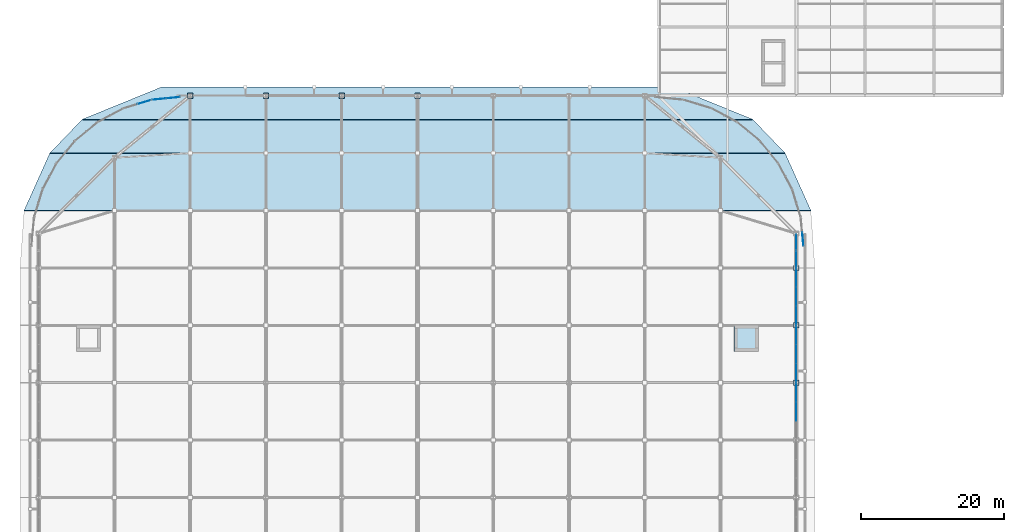
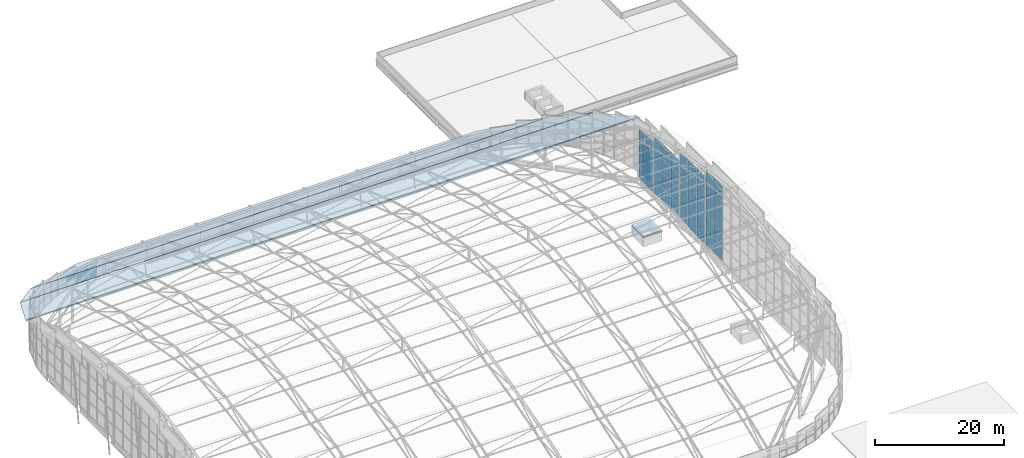
# One storey, part 37 of 42: 59 plates, 4 slabs, 8 elements without a shape of their own.
"""IFC4 building model written with IfcOpenShell, lengths in metres."""

import ifcopenshell
import ifcopenshell.guid

model = None  # the IFC model being written
_history = None  # IfcOwnerHistory: only IFC2X3 demands one
_inside = {}  # id of a spatial element -> (the spatial element, [elements in it])
_under = {}  # id of a project, library or spatial element -> (it, [spatial elements below it])
_declared = {}  # id of a project -> (the project, [libraries it declares])
_typed = {}  # id of a type object -> (the type object, [elements of that type])
_made_of = {}  # id of a material, layer set ... -> (it, [elements and type objects made of it])


def new_model(schema):
    """Start an empty IFC model of exactly this schema.

    Asked for "IFC4X3", IfcOpenShell would pick the latest addendum, in which some entities
    have other attributes; the version numbers below select the first issue.
    IFC2X3 requires an IfcOwnerHistory on every rooted entity: one is made here for all.
    """
    global model, _history
    if schema == "IFC4X3":
        model = ifcopenshell.file(schema_version=(4, 3, 0, 0))
    else:
        model = ifcopenshell.file(schema=schema)
    _inside.clear()
    _under.clear()
    _declared.clear()
    _typed.clear()
    _made_of.clear()
    _history = None
    if model.schema == "IFC2X3":
        org = make("IfcOrganization", Name="unknown")
        user = make(
            "IfcPersonAndOrganization",
            ThePerson=make("IfcPerson", FamilyName="unknown"),
            TheOrganization=org,
        )
        app = make(
            "IfcApplication",
            ApplicationDeveloper=org,
            Version="unknown",
            ApplicationFullName="unknown",
            ApplicationIdentifier="unknown",
        )
        _history = make(
            "IfcOwnerHistory",
            OwningUser=user,
            OwningApplication=app,
            ChangeAction="ADDED",
            CreationDate=0,
        )
    return model


def make(cls, **values):
    """One entity of the class cls with the attributes given. An attribute that is None is left unset."""
    return model.create_entity(
        cls, **{name: value for name, value in values.items() if value is not None}
    )


def rooted(cls, **values):
    """An entity with a GlobalId (a new one), such as an element, a storey or a relation."""
    return make(cls, GlobalId=ifcopenshell.guid.new(), OwnerHistory=_history, **values)


def si_unit(unit_type, name, prefix=None):
    """IfcSIUnit, for example si_unit("LENGTHUNIT", "METRE", prefix="MILLI")."""
    return make("IfcSIUnit", UnitType=unit_type, Prefix=prefix, Name=name)


def assignment(units):
    """IfcUnitAssignment: the units of a project."""
    return None if units is None else make("IfcUnitAssignment", Units=units)


def point(xyz):
    """IfcCartesianPoint."""
    return None if xyz is None else make("IfcCartesianPoint", Coordinates=xyz)


def direction(xyz):
    """IfcDirection."""
    return None if xyz is None else make("IfcDirection", DirectionRatios=xyz)


def frame(location, z_axis=None, x_axis=None):
    """IfcAxis2Placement3D, a coordinate frame: its origin and axes. An axis left out is left unset."""
    return make(
        "IfcAxis2Placement3D",
        Location=point(location),
        Axis=direction(z_axis),
        RefDirection=direction(x_axis),
    )


def frame_2d(location, x_axis=None):
    """IfcAxis2Placement2D, a coordinate frame in the plane: its origin and x axis."""
    return make(
        "IfcAxis2Placement2D", Location=point(location), RefDirection=direction(x_axis)
    )


def origin():
    """The frame at (0, 0, 0) with its axes left unset."""
    return frame((0.0, 0.0, 0.0))


def origin_2d():
    """The frame at (0, 0) in the plane with its x axis left unset."""
    return frame_2d((0.0, 0.0))


def place(relative_to, where):
    """IfcLocalPlacement: puts the frame where relative to a parent placement (None: the world)."""
    return make(
        "IfcLocalPlacement", PlacementRelTo=relative_to, RelativePlacement=where
    )


def context(
    kind, dimensions, precision=None, world=None, true_north=None, identifier=None
):
    """IfcGeometricRepresentationContext, for example the 3D "Model" context."""
    return make(
        "IfcGeometricRepresentationContext",
        ContextIdentifier=identifier,
        ContextType=kind,
        CoordinateSpaceDimension=dimensions,
        Precision=precision,
        WorldCoordinateSystem=world,
        TrueNorth=true_north,
    )


def subcontext(parent, identifier, kind, view, scale=None):
    """IfcGeometricRepresentationSubContext, for example "Body" below "Model"."""
    return make(
        "IfcGeometricRepresentationSubContext",
        ContextIdentifier=identifier,
        ContextType=kind,
        ParentContext=parent,
        TargetScale=scale,
        TargetView=view,
    )


def project(units=None, contexts=None):
    """IfcProject with its units and contexts."""
    return rooted(
        "IfcProject",
        Name="project",
        RepresentationContexts=contexts,
        UnitsInContext=assignment(units),
    )


def spatial(cls, under=None, at=None, **own):
    """A site, building, storey or space (cls), placed at a placement, below another one or the project."""
    s = rooted(cls, ObjectPlacement=at, **own)
    if under is not None:
        _under.setdefault(under.id(), (under, []))[1].append(s)
    return s


def polyline(points):
    """IfcPolyline through the points."""
    return make("IfcPolyline", Points=[point(p) for p in points])


def profile(cls, at=None, kind="AREA", **sizes):
    """A parametric profile (cls). Its sizes go by their IFC names, for example OverallWidth=200.0."""
    return make(cls, ProfileType=kind, Position=at, **sizes)


def rectangle(**sizes):
    """IfcRectangleProfileDef."""
    return profile("IfcRectangleProfileDef", **sizes)


def outline(outer, holes=None, kind="AREA"):
    """IfcArbitraryClosedProfileDef: a profile drawn as a closed curve; with holes, ...WithVoids."""
    if holes is None:
        return make("IfcArbitraryClosedProfileDef", ProfileType=kind, OuterCurve=outer)
    return make(
        "IfcArbitraryProfileDefWithVoids",
        ProfileType=kind,
        OuterCurve=outer,
        InnerCurves=holes,
    )


def extrude(swept, where, along, depth):
    """IfcExtrudedAreaSolid: the profile swept, set in the frame where, extruded along a direction by depth."""
    return make(
        "IfcExtrudedAreaSolid",
        SweptArea=swept,
        Position=where,
        ExtrudedDirection=direction(along),
        Depth=depth,
    )


def shape(context_of_items, identifier, shape_type, items):
    """IfcShapeRepresentation: the items that make up one representation, for example the "Body"."""
    return make(
        "IfcShapeRepresentation",
        ContextOfItems=context_of_items,
        RepresentationIdentifier=identifier,
        RepresentationType=shape_type,
        Items=items,
    )


def material(Name=None, Category=None):
    """IfcMaterial."""
    return make("IfcMaterial", Name=Name, Category=Category)


def layer(
    of_material, thickness, ventilated=None, Name=None, Category=None, Priority=None
):
    """IfcMaterialLayer: one layer of a wall or slab, of a material (None: an air gap)."""
    return make(
        "IfcMaterialLayer",
        Material=of_material,
        LayerThickness=thickness,
        IsVentilated=ventilated,
        Name=Name,
        Category=Category,
        Priority=Priority,
    )


def layer_set(layers, Name=None):
    """IfcMaterialLayerSet."""
    return make("IfcMaterialLayerSet", MaterialLayers=layers, LayerSetName=Name)


def made_of(thing, what):
    """Note that an element or type object is made of a material, layer set ...; save() writes the relation."""
    if what is not None:
        _made_of.setdefault(what.id(), (what, []))[1].append(thing)
    return thing


def type_object(cls, material=None, **own):
    """A type object (cls), such as IfcWallType, which elements share."""
    return made_of(rooted(cls, **own), material)


def element(
    cls,
    number,
    at=None,
    inside=None,
    cuts=None,
    type_object=None,
    material=None,
    context=None,
    identifier="Body",
    shape_type=None,
    held_by="IfcProductDefinitionShape",
    body=None,
    shapes=None,
    **own,
):
    """One element of the class cls, such as IfcWall. Its Tag is "e" and its number.

    at: its placement. inside: the storey or other place that contains it. cuts: it is an
    opening in that element (IfcRelVoidsElement). A single representation is given by context,
    identifier, shape_type and body (its items); several are given by shapes. held_by: the class
    of the entity that holds the representations. save() writes the other relations.
    """
    e = rooted(cls, Tag="e%d" % number, ObjectPlacement=at, **own)
    if body is not None:
        shapes = [shape(context, identifier, shape_type, body)]
    if shapes is not None:
        e.Representation = make(held_by, Representations=shapes)
    if inside is not None:
        _inside.setdefault(inside.id(), (inside, []))[1].append(e)
    if cuts is not None:
        rooted(
            "IfcRelVoidsElement", RelatingBuildingElement=cuts, RelatedOpeningElement=e
        )
    if type_object is not None:
        _typed.setdefault(type_object.id(), (type_object, []))[1].append(e)
    return made_of(e, material)


def aggregate(whole, parts):
    """IfcRelAggregates: a whole, such as a stair, and the parts it consists of."""
    return rooted("IfcRelAggregates", RelatingObject=whole, RelatedObjects=parts)


def save(model, path):
    """Write the relations noted so far, then the file.

    IfcRelAggregates (storeys below a building ...), IfcRelContainedInSpatialStructure (elements
    in a storey), IfcRelDefinesByType, IfcRelAssociatesMaterial and IfcRelDeclares: one each for
    every whole, place, type object, material and project.
    """
    for whole, parts in _under.values():
        aggregate(whole, parts)
    for where, things in _inside.values():
        rooted(
            "IfcRelContainedInSpatialStructure",
            RelatedElements=things,
            RelatingStructure=where,
        )
    for kind, things in _typed.values():
        rooted("IfcRelDefinesByType", RelatedObjects=things, RelatingType=kind)
    for what, things in _made_of.values():
        rooted("IfcRelAssociatesMaterial", RelatedObjects=things, RelatingMaterial=what)
    for by, libraries in _declared.values():
        rooted("IfcRelDeclares", RelatingContext=by, RelatedDefinitions=libraries)
    model.write(path)


model = new_model("IFC4")

# Units and contexts
model_context = context("Model", 3, precision=1e-05, world=origin(), true_north=direction((0.0, 1.0)))
body_context = subcontext(model_context, "Body", "Model", "MODEL_VIEW")
ifc_project = project(units=[si_unit("LENGTHUNIT", "METRE"), si_unit("AREAUNIT", "SQUARE_METRE"), si_unit("VOLUMEUNIT", "CUBIC_METRE"), si_unit("PLANEANGLEUNIT", "RADIAN"), si_unit("MASSUNIT", "GRAM", prefix="KILO")], contexts=[model_context])

# Site, building, storey
site_placement = place(None, origin())
site = spatial("IfcSite", under=ifc_project, at=site_placement, CompositionType="ELEMENT")
building_placement = place(site_placement, origin())
building = spatial("IfcBuilding", under=site, at=building_placement, Name="Caelomonte Colonnade Arena", CompositionType="ELEMENT")
storey_placement = place(building_placement, frame((0.0, 0.0, 28.199951171875)))
storey = spatial("IfcBuildingStorey", under=building, at=storey_placement, Name="RF", CompositionType="ELEMENT", Elevation=28.199951171875)

# Curtain wall, plates
ifc_material_1 = material(Name="Bronze anodised aluminium and low-E glazing", Category="aluminium")
ifc_layer_1 = layer(ifc_material_1, 0.179931640625)
ifc_layer_set_1 = layer_set([ifc_layer_1], Name="Bronze anodised aluminium and low-E glazing")
curtain_wall_type_1 = type_object("IfcCurtainWallType", Name="ENV-CW-CW-TYMP-05", PredefinedType="USERDEFINED", material=ifc_layer_set_1)
curtain_wall_1_placement = place(storey_placement, origin())
curtain_wall_1 = element("IfcCurtainWall", 1, at=curtain_wall_1_placement, inside=storey, type_object=curtain_wall_type_1, Name="Barrel arch E clerestory tympanum curtain wall 5", ObjectType="UNITIZED CURTAIN WALL", PredefinedType="USERDEFINED")
ifc_material_2 = material(Name="Solar-control bronze low-E double glazing", Category="glass")
ifc_layer_2 = layer(ifc_material_2, 0.035888671875)
ifc_layer_set_2 = layer_set([ifc_layer_2], Name="Solar-control bronze low-E double glazing")
plate_type_1 = type_object("IfcPlateType", Name="ENV-CW-PAN36", PredefinedType="CURTAIN_PANEL", material=ifc_layer_set_2)
plate_1_placement = place(storey_placement, frame((163.199951171875, 71.199951171875, -0.079833984375), z_axis=(0.0, 0.0, 1.0), x_axis=(0.0, 1.0, 0.0)))
plate_1 = element("IfcPlate", 2, at=plate_1_placement, type_object=plate_type_1, Name="CW-TYMP-05 panel 2.1", PredefinedType="CURTAIN_PANEL", context=body_context, shape_type="SweptSolid", body=[
    extrude(rectangle(XDim=2.543212890625, YDim=0.035888671875, at=origin_2d()), origin(), (0.0, 0.0, 1.0), 2.751953125),
])
plate_2_placement = place(storey_placement, frame((163.199951171875, 71.199951171875, 2.741943359375), z_axis=(0.0, 0.0, 1.0), x_axis=(0.0, 1.0, 0.0)))
plate_2 = element("IfcPlate", 3, at=plate_2_placement, type_object=plate_type_1, Name="CW-TYMP-05 panel 2.2", PredefinedType="CURTAIN_PANEL", context=body_context, shape_type="SweptSolid", body=[
    extrude(rectangle(XDim=2.543212890625, YDim=0.035888671875, at=origin_2d()), origin(), (0.0, 0.0, 1.0), 2.787109375),
])
plate_3_placement = place(storey_placement, frame((163.199951171875, 71.199951171875, 5.598876953125), z_axis=(0.0, 0.0, 1.0), x_axis=(0.0, 1.0, 0.0)))
plate_3 = element("IfcPlate", 4, at=plate_3_placement, type_object=plate_type_1, Name="CW-TYMP-05 panel 2.3", PredefinedType="CURTAIN_PANEL", context=body_context, shape_type="SweptSolid", body=[
    extrude(rectangle(XDim=2.543212890625, YDim=0.035888671875, at=origin_2d()), origin(), (0.0, 0.0, 1.0), 2.787109375),
])
plate_4_placement = place(storey_placement, frame((163.199951171875, 71.199951171875, 8.4560546875), z_axis=(0.0, 0.0, 1.0), x_axis=(0.0, 1.0, 0.0)))
plate_4 = element("IfcPlate", 5, at=plate_4_placement, type_object=plate_type_1, Name="CW-TYMP-05 panel 2.4", PredefinedType="CURTAIN_PANEL", context=body_context, shape_type="SweptSolid", body=[
    extrude(rectangle(XDim=2.543212890625, YDim=0.035888671875, at=origin_2d()), origin(), (0.0, 0.0, 1.0), 2.787109375),
])
plate_5_placement = place(storey_placement, frame((163.199951171875, 71.199951171875, 11.31298828125), z_axis=(0.0, 0.0, 1.0), x_axis=(0.0, 1.0, 0.0)))
plate_5 = element("IfcPlate", 6, at=plate_5_placement, type_object=plate_type_1, Name="CW-TYMP-05 panel 2.5", PredefinedType="CURTAIN_PANEL", context=body_context, shape_type="SweptSolid", body=[
    extrude(rectangle(XDim=2.543212890625, YDim=0.035888671875, at=origin_2d()), origin(), (0.0, 0.0, 1.0), 2.751953125),
])
plate_6_placement = place(storey_placement, frame((163.199951171875, 73.7958984375, -0.079833984375), z_axis=(0.0, 0.0, 1.0), x_axis=(0.0, 1.0, 0.0)))
plate_6 = element("IfcPlate", 7, at=plate_6_placement, type_object=plate_type_1, Name="CW-TYMP-05 panel 3.1", PredefinedType="CURTAIN_PANEL", context=body_context, shape_type="SweptSolid", body=[
    extrude(rectangle(XDim=2.50830078125, YDim=0.035888671875, at=origin_2d()), origin(), (0.0, 0.0, 1.0), 2.751953125),
])
plate_7_placement = place(storey_placement, frame((163.199951171875, 73.7958984375, 2.741943359375), z_axis=(0.0, 0.0, 1.0), x_axis=(0.0, 1.0, 0.0)))
plate_7 = element("IfcPlate", 8, at=plate_7_placement, type_object=plate_type_1, Name="CW-TYMP-05 panel 3.2", PredefinedType="CURTAIN_PANEL", context=body_context, shape_type="SweptSolid", body=[
    extrude(rectangle(XDim=2.50830078125, YDim=0.035888671875, at=origin_2d()), origin(), (0.0, 0.0, 1.0), 2.787109375),
])
plate_8_placement = place(storey_placement, frame((163.199951171875, 73.7958984375, 5.598876953125), z_axis=(0.0, 0.0, 1.0), x_axis=(0.0, 1.0, 0.0)))
plate_8 = element("IfcPlate", 9, at=plate_8_placement, type_object=plate_type_1, Name="CW-TYMP-05 panel 3.3", PredefinedType="CURTAIN_PANEL", context=body_context, shape_type="SweptSolid", body=[
    extrude(rectangle(XDim=2.50830078125, YDim=0.035888671875, at=origin_2d()), origin(), (0.0, 0.0, 1.0), 2.787109375),
])
plate_9_placement = place(storey_placement, frame((163.199951171875, 73.7958984375, 8.4560546875), z_axis=(0.0, 0.0, 1.0), x_axis=(0.0, 1.0, 0.0)))
plate_9 = element("IfcPlate", 10, at=plate_9_placement, type_object=plate_type_1, Name="CW-TYMP-05 panel 3.4", PredefinedType="CURTAIN_PANEL", context=body_context, shape_type="SweptSolid", body=[
    extrude(rectangle(XDim=2.50830078125, YDim=0.035888671875, at=origin_2d()), origin(), (0.0, 0.0, 1.0), 2.787109375),
])
plate_10_placement = place(storey_placement, frame((163.199951171875, 73.7958984375, 11.31298828125), z_axis=(0.0, 0.0, 1.0), x_axis=(0.0, 1.0, 0.0)))
plate_10 = element("IfcPlate", 11, at=plate_10_placement, type_object=plate_type_1, Name="CW-TYMP-05 panel 3.5", PredefinedType="CURTAIN_PANEL", context=body_context, shape_type="SweptSolid", body=[
    extrude(rectangle(XDim=2.50830078125, YDim=0.035888671875, at=origin_2d()), origin(), (0.0, 0.0, 1.0), 2.751953125),
])
aggregate(curtain_wall_1, [plate_1, plate_2, plate_3, plate_4, plate_5, plate_6, plate_7, plate_8, plate_9, plate_10])

ifc_layer_3 = layer(ifc_material_1, 0.179931640625)
ifc_layer_set_3 = layer_set([ifc_layer_3], Name="Bronze anodised aluminium and low-E glazing")
curtain_wall_type_2 = type_object("IfcCurtainWallType", Name="ENV-CW-CW-TYMP-06", PredefinedType="USERDEFINED", material=ifc_layer_set_3)
curtain_wall_2_placement = place(storey_placement, origin())
curtain_wall_2 = element("IfcCurtainWall", 12, at=curtain_wall_2_placement, inside=storey, type_object=curtain_wall_type_2, Name="Barrel arch E clerestory tympanum curtain wall 6", ObjectType="UNITIZED CURTAIN WALL", PredefinedType="USERDEFINED")
plate_11_placement = place(storey_placement, frame((163.199951171875, 76.604248046875, -0.080078125), z_axis=(0.0, 0.0, 1.0), x_axis=(0.0, 1.0, 0.0)))
plate_11 = element("IfcPlate", 13, at=plate_11_placement, type_object=plate_type_1, Name="CW-TYMP-06 panel 1.1", PredefinedType="CURTAIN_PANEL", context=body_context, shape_type="SweptSolid", body=[
    extrude(rectangle(XDim=2.50830078125, YDim=0.035888671875, at=origin_2d()), origin(), (0.0, 0.0, 1.0), 2.462158203125),
])
plate_12_placement = place(storey_placement, frame((163.199951171875, 76.604248046875, 2.4521484375), z_axis=(0.0, 0.0, 1.0), x_axis=(0.0, 1.0, 0.0)))
plate_12 = element("IfcPlate", 14, at=plate_12_placement, type_object=plate_type_1, Name="CW-TYMP-06 panel 1.2", PredefinedType="CURTAIN_PANEL", context=body_context, shape_type="SweptSolid", body=[
    extrude(rectangle(XDim=2.50830078125, YDim=0.035888671875, at=origin_2d()), origin(), (0.0, 0.0, 1.0), 2.497314453125),
])
plate_13_placement = place(storey_placement, frame((163.199951171875, 76.604248046875, 5.01953125), z_axis=(0.0, 0.0, 1.0), x_axis=(0.0, 1.0, 0.0)))
plate_13 = element("IfcPlate", 15, at=plate_13_placement, type_object=plate_type_1, Name="CW-TYMP-06 panel 1.3", PredefinedType="CURTAIN_PANEL", context=body_context, shape_type="SweptSolid", body=[
    extrude(rectangle(XDim=2.50830078125, YDim=0.035888671875, at=origin_2d()), origin(), (0.0, 0.0, 1.0), 2.497314453125),
])
plate_14_placement = place(storey_placement, frame((163.199951171875, 76.604248046875, 7.58642578125), z_axis=(0.0, 0.0, 1.0), x_axis=(0.0, 1.0, 0.0)))
plate_14 = element("IfcPlate", 16, at=plate_14_placement, type_object=plate_type_1, Name="CW-TYMP-06 panel 1.4", PredefinedType="CURTAIN_PANEL", context=body_context, shape_type="SweptSolid", body=[
    extrude(rectangle(XDim=2.50830078125, YDim=0.035888671875, at=origin_2d()), origin(), (0.0, 0.0, 1.0), 2.497314453125),
])
plate_15_placement = place(storey_placement, frame((163.199951171875, 76.604248046875, 10.15380859375), z_axis=(0.0, 0.0, 1.0), x_axis=(0.0, 1.0, 0.0)))
plate_15 = element("IfcPlate", 17, at=plate_15_placement, type_object=plate_type_1, Name="CW-TYMP-06 panel 1.5", PredefinedType="CURTAIN_PANEL", context=body_context, shape_type="SweptSolid", body=[
    extrude(rectangle(XDim=2.50830078125, YDim=0.035888671875, at=origin_2d()), origin(), (0.0, 0.0, 1.0), 2.462158203125),
])
plate_16_placement = place(storey_placement, frame((163.199951171875, 79.199951171875, -0.080078125), z_axis=(0.0, 0.0, 1.0), x_axis=(0.0, 1.0, 0.0)))
plate_16 = element("IfcPlate", 18, at=plate_16_placement, type_object=plate_type_1, Name="CW-TYMP-06 panel 2.1", PredefinedType="CURTAIN_PANEL", context=body_context, shape_type="SweptSolid", body=[
    extrude(rectangle(XDim=2.543212890625, YDim=0.035888671875, at=origin_2d()), origin(), (0.0, 0.0, 1.0), 2.462158203125),
])
plate_17_placement = place(storey_placement, frame((163.199951171875, 79.199951171875, 2.4521484375), z_axis=(0.0, 0.0, 1.0), x_axis=(0.0, 1.0, 0.0)))
plate_17 = element("IfcPlate", 19, at=plate_17_placement, type_object=plate_type_1, Name="CW-TYMP-06 panel 2.2", PredefinedType="CURTAIN_PANEL", context=body_context, shape_type="SweptSolid", body=[
    extrude(rectangle(XDim=2.543212890625, YDim=0.035888671875, at=origin_2d()), origin(), (0.0, 0.0, 1.0), 2.497314453125),
])
plate_18_placement = place(storey_placement, frame((163.199951171875, 79.199951171875, 5.01953125), z_axis=(0.0, 0.0, 1.0), x_axis=(0.0, 1.0, 0.0)))
plate_18 = element("IfcPlate", 20, at=plate_18_placement, type_object=plate_type_1, Name="CW-TYMP-06 panel 2.3", PredefinedType="CURTAIN_PANEL", context=body_context, shape_type="SweptSolid", body=[
    extrude(rectangle(XDim=2.543212890625, YDim=0.035888671875, at=origin_2d()), origin(), (0.0, 0.0, 1.0), 2.497314453125),
])
plate_19_placement = place(storey_placement, frame((163.199951171875, 79.199951171875, 7.58642578125), z_axis=(0.0, 0.0, 1.0), x_axis=(0.0, 1.0, 0.0)))
plate_19 = element("IfcPlate", 21, at=plate_19_placement, type_object=plate_type_1, Name="CW-TYMP-06 panel 2.4", PredefinedType="CURTAIN_PANEL", context=body_context, shape_type="SweptSolid", body=[
    extrude(rectangle(XDim=2.543212890625, YDim=0.035888671875, at=origin_2d()), origin(), (0.0, 0.0, 1.0), 2.497314453125),
])
plate_20_placement = place(storey_placement, frame((163.199951171875, 79.199951171875, 10.15380859375), z_axis=(0.0, 0.0, 1.0), x_axis=(0.0, 1.0, 0.0)))
plate_20 = element("IfcPlate", 22, at=plate_20_placement, type_object=plate_type_1, Name="CW-TYMP-06 panel 2.5", PredefinedType="CURTAIN_PANEL", context=body_context, shape_type="SweptSolid", body=[
    extrude(rectangle(XDim=2.543212890625, YDim=0.035888671875, at=origin_2d()), origin(), (0.0, 0.0, 1.0), 2.462158203125),
])
plate_21_placement = place(storey_placement, frame((163.199951171875, 81.7958984375, -0.080078125), z_axis=(0.0, 0.0, 1.0), x_axis=(0.0, 1.0, 0.0)))
plate_21 = element("IfcPlate", 23, at=plate_21_placement, type_object=plate_type_1, Name="CW-TYMP-06 panel 3.1", PredefinedType="CURTAIN_PANEL", context=body_context, shape_type="SweptSolid", body=[
    extrude(rectangle(XDim=2.50830078125, YDim=0.035888671875, at=origin_2d()), origin(), (0.0, 0.0, 1.0), 2.462158203125),
])
plate_22_placement = place(storey_placement, frame((163.199951171875, 81.7958984375, 2.4521484375), z_axis=(0.0, 0.0, 1.0), x_axis=(0.0, 1.0, 0.0)))
plate_22 = element("IfcPlate", 24, at=plate_22_placement, type_object=plate_type_1, Name="CW-TYMP-06 panel 3.2", PredefinedType="CURTAIN_PANEL", context=body_context, shape_type="SweptSolid", body=[
    extrude(rectangle(XDim=2.50830078125, YDim=0.035888671875, at=origin_2d()), origin(), (0.0, 0.0, 1.0), 2.497314453125),
])
plate_23_placement = place(storey_placement, frame((163.199951171875, 81.7958984375, 5.01953125), z_axis=(0.0, 0.0, 1.0), x_axis=(0.0, 1.0, 0.0)))
plate_23 = element("IfcPlate", 25, at=plate_23_placement, type_object=plate_type_1, Name="CW-TYMP-06 panel 3.3", PredefinedType="CURTAIN_PANEL", context=body_context, shape_type="SweptSolid", body=[
    extrude(rectangle(XDim=2.50830078125, YDim=0.035888671875, at=origin_2d()), origin(), (0.0, 0.0, 1.0), 2.497314453125),
])
plate_24_placement = place(storey_placement, frame((163.199951171875, 81.7958984375, 7.58642578125), z_axis=(0.0, 0.0, 1.0), x_axis=(0.0, 1.0, 0.0)))
plate_24 = element("IfcPlate", 26, at=plate_24_placement, type_object=plate_type_1, Name="CW-TYMP-06 panel 3.4", PredefinedType="CURTAIN_PANEL", context=body_context, shape_type="SweptSolid", body=[
    extrude(rectangle(XDim=2.50830078125, YDim=0.035888671875, at=origin_2d()), origin(), (0.0, 0.0, 1.0), 2.497314453125),
])
plate_25_placement = place(storey_placement, frame((163.199951171875, 81.7958984375, 10.15380859375), z_axis=(0.0, 0.0, 1.0), x_axis=(0.0, 1.0, 0.0)))
plate_25 = element("IfcPlate", 27, at=plate_25_placement, type_object=plate_type_1, Name="CW-TYMP-06 panel 3.5", PredefinedType="CURTAIN_PANEL", context=body_context, shape_type="SweptSolid", body=[
    extrude(rectangle(XDim=2.50830078125, YDim=0.035888671875, at=origin_2d()), origin(), (0.0, 0.0, 1.0), 2.462158203125),
])
aggregate(curtain_wall_2, [plate_11, plate_12, plate_13, plate_14, plate_15, plate_16, plate_17, plate_18, plate_19, plate_20, plate_21, plate_22, plate_23, plate_24, plate_25])

ifc_layer_4 = layer(ifc_material_1, 0.179931640625)
ifc_layer_set_4 = layer_set([ifc_layer_4], Name="Bronze anodised aluminium and low-E glazing")
curtain_wall_type_3 = type_object("IfcCurtainWallType", Name="ENV-CW-CW-TYMP-07", PredefinedType="USERDEFINED", material=ifc_layer_set_4)
curtain_wall_3_placement = place(storey_placement, origin())
curtain_wall_3 = element("IfcCurtainWall", 28, at=curtain_wall_3_placement, inside=storey, type_object=curtain_wall_type_3, Name="Barrel arch E clerestory tympanum curtain wall 7", ObjectType="UNITIZED CURTAIN WALL", PredefinedType="USERDEFINED")
plate_26_placement = place(storey_placement, frame((163.199951171875, 84.604248046875, -0.079833984375), z_axis=(0.0, 0.0, 1.0), x_axis=(0.0, 1.0, 0.0)))
plate_26 = element("IfcPlate", 29, at=plate_26_placement, type_object=plate_type_1, Name="CW-TYMP-07 panel 1.1", PredefinedType="CURTAIN_PANEL", context=body_context, shape_type="SweptSolid", body=[
    extrude(rectangle(XDim=2.50830078125, YDim=0.035888671875, at=origin_2d()), origin(), (0.0, 0.0, 1.0), 2.63330078125),
])
plate_27_placement = place(storey_placement, frame((163.199951171875, 84.604248046875, 2.62353515625), z_axis=(0.0, 0.0, 1.0), x_axis=(0.0, 1.0, 0.0)))
plate_27 = element("IfcPlate", 30, at=plate_27_placement, type_object=plate_type_1, Name="CW-TYMP-07 panel 1.2", PredefinedType="CURTAIN_PANEL", context=body_context, shape_type="SweptSolid", body=[
    extrude(rectangle(XDim=2.50830078125, YDim=0.035888671875, at=origin_2d()), origin(), (0.0, 0.0, 1.0), 2.668212890625),
])
plate_28_placement = place(storey_placement, frame((163.199951171875, 84.604248046875, 5.361328125), z_axis=(0.0, 0.0, 1.0), x_axis=(0.0, 1.0, 0.0)))
plate_28 = element("IfcPlate", 31, at=plate_28_placement, type_object=plate_type_1, Name="CW-TYMP-07 panel 1.3", PredefinedType="CURTAIN_PANEL", context=body_context, shape_type="SweptSolid", body=[
    extrude(rectangle(XDim=2.50830078125, YDim=0.035888671875, at=origin_2d()), origin(), (0.0, 0.0, 1.0), 2.668212890625),
])
plate_29_placement = place(storey_placement, frame((163.199951171875, 84.604248046875, 8.099853515625), z_axis=(0.0, 0.0, 1.0), x_axis=(0.0, 1.0, 0.0)))
plate_29 = element("IfcPlate", 32, at=plate_29_placement, type_object=plate_type_1, Name="CW-TYMP-07 panel 1.4", PredefinedType="CURTAIN_PANEL", context=body_context, shape_type="SweptSolid", body=[
    extrude(rectangle(XDim=2.50830078125, YDim=0.035888671875, at=origin_2d()), origin(), (0.0, 0.0, 1.0), 2.63330078125),
])
plate_30_placement = place(storey_placement, frame((163.199951171875, 87.199951171875, -0.079833984375), z_axis=(0.0, 0.0, 1.0), x_axis=(0.0, 1.0, 0.0)))
plate_30 = element("IfcPlate", 33, at=plate_30_placement, type_object=plate_type_1, Name="CW-TYMP-07 panel 2.1", PredefinedType="CURTAIN_PANEL", context=body_context, shape_type="SweptSolid", body=[
    extrude(rectangle(XDim=2.543212890625, YDim=0.035888671875, at=origin_2d()), origin(), (0.0, 0.0, 1.0), 2.63330078125),
])
plate_31_placement = place(storey_placement, frame((163.199951171875, 87.199951171875, 2.62353515625), z_axis=(0.0, 0.0, 1.0), x_axis=(0.0, 1.0, 0.0)))
plate_31 = element("IfcPlate", 34, at=plate_31_placement, type_object=plate_type_1, Name="CW-TYMP-07 panel 2.2", PredefinedType="CURTAIN_PANEL", context=body_context, shape_type="SweptSolid", body=[
    extrude(rectangle(XDim=2.543212890625, YDim=0.035888671875, at=origin_2d()), origin(), (0.0, 0.0, 1.0), 2.668212890625),
])
plate_32_placement = place(storey_placement, frame((163.199951171875, 87.199951171875, 5.361328125), z_axis=(0.0, 0.0, 1.0), x_axis=(0.0, 1.0, 0.0)))
plate_32 = element("IfcPlate", 35, at=plate_32_placement, type_object=plate_type_1, Name="CW-TYMP-07 panel 2.3", PredefinedType="CURTAIN_PANEL", context=body_context, shape_type="SweptSolid", body=[
    extrude(rectangle(XDim=2.543212890625, YDim=0.035888671875, at=origin_2d()), origin(), (0.0, 0.0, 1.0), 2.668212890625),
])
plate_33_placement = place(storey_placement, frame((163.199951171875, 87.199951171875, 8.099853515625), z_axis=(0.0, 0.0, 1.0), x_axis=(0.0, 1.0, 0.0)))
plate_33 = element("IfcPlate", 36, at=plate_33_placement, type_object=plate_type_1, Name="CW-TYMP-07 panel 2.4", PredefinedType="CURTAIN_PANEL", context=body_context, shape_type="SweptSolid", body=[
    extrude(rectangle(XDim=2.543212890625, YDim=0.035888671875, at=origin_2d()), origin(), (0.0, 0.0, 1.0), 2.63330078125),
])
plate_34_placement = place(storey_placement, frame((163.199951171875, 89.7958984375, -0.079833984375), z_axis=(0.0, 0.0, 1.0), x_axis=(0.0, 1.0, 0.0)))
plate_34 = element("IfcPlate", 37, at=plate_34_placement, type_object=plate_type_1, Name="CW-TYMP-07 panel 3.1", PredefinedType="CURTAIN_PANEL", context=body_context, shape_type="SweptSolid", body=[
    extrude(rectangle(XDim=2.50830078125, YDim=0.035888671875, at=origin_2d()), origin(), (0.0, 0.0, 1.0), 2.63330078125),
])
plate_35_placement = place(storey_placement, frame((163.199951171875, 89.7958984375, 2.62353515625), z_axis=(0.0, 0.0, 1.0), x_axis=(0.0, 1.0, 0.0)))
plate_35 = element("IfcPlate", 38, at=plate_35_placement, type_object=plate_type_1, Name="CW-TYMP-07 panel 3.2", PredefinedType="CURTAIN_PANEL", context=body_context, shape_type="SweptSolid", body=[
    extrude(rectangle(XDim=2.50830078125, YDim=0.035888671875, at=origin_2d()), origin(), (0.0, 0.0, 1.0), 2.668212890625),
])
plate_36_placement = place(storey_placement, frame((163.199951171875, 89.7958984375, 5.361328125), z_axis=(0.0, 0.0, 1.0), x_axis=(0.0, 1.0, 0.0)))
plate_36 = element("IfcPlate", 39, at=plate_36_placement, type_object=plate_type_1, Name="CW-TYMP-07 panel 3.3", PredefinedType="CURTAIN_PANEL", context=body_context, shape_type="SweptSolid", body=[
    extrude(rectangle(XDim=2.50830078125, YDim=0.035888671875, at=origin_2d()), origin(), (0.0, 0.0, 1.0), 2.668212890625),
])
plate_37_placement = place(storey_placement, frame((163.199951171875, 89.7958984375, 8.099853515625), z_axis=(0.0, 0.0, 1.0), x_axis=(0.0, 1.0, 0.0)))
plate_37 = element("IfcPlate", 40, at=plate_37_placement, type_object=plate_type_1, Name="CW-TYMP-07 panel 3.4", PredefinedType="CURTAIN_PANEL", context=body_context, shape_type="SweptSolid", body=[
    extrude(rectangle(XDim=2.50830078125, YDim=0.035888671875, at=origin_2d()), origin(), (0.0, 0.0, 1.0), 2.63330078125),
])
aggregate(curtain_wall_3, [plate_26, plate_27, plate_28, plate_29, plate_30, plate_31, plate_32, plate_33, plate_34, plate_35, plate_36, plate_37])

ifc_layer_5 = layer(ifc_material_1, 0.179931640625)
ifc_layer_set_5 = layer_set([ifc_layer_5], Name="Bronze anodised aluminium and low-E glazing")
curtain_wall_type_4 = type_object("IfcCurtainWallType", Name="ENV-CW-CW-TYMP-08", PredefinedType="USERDEFINED", material=ifc_layer_set_5)
curtain_wall_4_placement = place(storey_placement, origin())
curtain_wall_4 = element("IfcCurtainWall", 41, at=curtain_wall_4_placement, inside=storey, type_object=curtain_wall_type_4, Name="Barrel arch E clerestory tympanum curtain wall 8", ObjectType="UNITIZED CURTAIN WALL", PredefinedType="USERDEFINED")
plate_38_placement = place(storey_placement, frame((163.199951171875, 92.45751953125, -0.080078125), z_axis=(0.0, 0.0, 1.0), x_axis=(0.0, 1.0, 0.0)))
plate_38 = element("IfcPlate", 42, at=plate_38_placement, type_object=plate_type_1, Name="CW-TYMP-08 panel 1.1", PredefinedType="CURTAIN_PANEL", context=body_context, shape_type="SweptSolid", body=[
    extrude(rectangle(XDim=2.215087890625, YDim=0.035888671875, at=origin_2d()), origin(), (0.0, 0.0, 1.0), 2.298583984375),
])
plate_39_placement = place(storey_placement, frame((163.199951171875, 92.45751953125, 2.28857421875), z_axis=(0.0, 0.0, 1.0), x_axis=(0.0, 1.0, 0.0)))
plate_39 = element("IfcPlate", 43, at=plate_39_placement, type_object=plate_type_1, Name="CW-TYMP-08 panel 1.2", PredefinedType="CURTAIN_PANEL", context=body_context, shape_type="SweptSolid", body=[
    extrude(rectangle(XDim=2.215087890625, YDim=0.035888671875, at=origin_2d()), origin(), (0.0, 0.0, 1.0), 2.333740234375),
])
plate_40_placement = place(storey_placement, frame((163.199951171875, 92.45751953125, 4.6923828125), z_axis=(0.0, 0.0, 1.0), x_axis=(0.0, 1.0, 0.0)))
plate_40 = element("IfcPlate", 44, at=plate_40_placement, type_object=plate_type_1, Name="CW-TYMP-08 panel 1.3", PredefinedType="CURTAIN_PANEL", context=body_context, shape_type="SweptSolid", body=[
    extrude(rectangle(XDim=2.215087890625, YDim=0.035888671875, at=origin_2d()), origin(), (0.0, 0.0, 1.0), 2.333740234375),
])
plate_41_placement = place(storey_placement, frame((163.199951171875, 92.45751953125, 7.09619140625), z_axis=(0.0, 0.0, 1.0), x_axis=(0.0, 1.0, 0.0)))
plate_41 = element("IfcPlate", 45, at=plate_41_placement, type_object=plate_type_1, Name="CW-TYMP-08 panel 1.4", PredefinedType="CURTAIN_PANEL", context=body_context, shape_type="SweptSolid", body=[
    extrude(rectangle(XDim=2.215087890625, YDim=0.035888671875, at=origin_2d()), origin(), (0.0, 0.0, 1.0), 2.298583984375),
])
plate_42_placement = place(storey_placement, frame((163.199951171875, 94.742431640625, -0.080078125), z_axis=(0.0, 0.0, 1.0), x_axis=(0.0, 1.0, 0.0)))
plate_42 = element("IfcPlate", 46, at=plate_42_placement, type_object=plate_type_1, Name="CW-TYMP-08 panel 2.1", PredefinedType="CURTAIN_PANEL", context=body_context, shape_type="SweptSolid", body=[
    extrude(rectangle(XDim=2.215087890625, YDim=0.035888671875, at=origin_2d()), origin(), (0.0, 0.0, 1.0), 2.298583984375),
])
plate_43_placement = place(storey_placement, frame((163.199951171875, 94.742431640625, 2.28857421875), z_axis=(0.0, 0.0, 1.0), x_axis=(0.0, 1.0, 0.0)))
plate_43 = element("IfcPlate", 47, at=plate_43_placement, type_object=plate_type_1, Name="CW-TYMP-08 panel 2.2", PredefinedType="CURTAIN_PANEL", context=body_context, shape_type="SweptSolid", body=[
    extrude(rectangle(XDim=2.215087890625, YDim=0.035888671875, at=origin_2d()), origin(), (0.0, 0.0, 1.0), 2.333740234375),
])
plate_44_placement = place(storey_placement, frame((163.199951171875, 94.742431640625, 4.6923828125), z_axis=(0.0, 0.0, 1.0), x_axis=(0.0, 1.0, 0.0)))
plate_44 = element("IfcPlate", 48, at=plate_44_placement, type_object=plate_type_1, Name="CW-TYMP-08 panel 2.3", PredefinedType="CURTAIN_PANEL", context=body_context, shape_type="SweptSolid", body=[
    extrude(rectangle(XDim=2.215087890625, YDim=0.035888671875, at=origin_2d()), origin(), (0.0, 0.0, 1.0), 2.333740234375),
])
plate_45_placement = place(storey_placement, frame((163.199951171875, 94.742431640625, 7.09619140625), z_axis=(0.0, 0.0, 1.0), x_axis=(0.0, 1.0, 0.0)))
plate_45 = element("IfcPlate", 49, at=plate_45_placement, type_object=plate_type_1, Name="CW-TYMP-08 panel 2.4", PredefinedType="CURTAIN_PANEL", context=body_context, shape_type="SweptSolid", body=[
    extrude(rectangle(XDim=2.215087890625, YDim=0.035888671875, at=origin_2d()), origin(), (0.0, 0.0, 1.0), 2.298583984375),
])
aggregate(curtain_wall_4, [plate_38, plate_39, plate_40, plate_41, plate_42, plate_43, plate_44, plate_45])

ifc_layer_6 = layer(ifc_material_1, 0.179931640625)
ifc_layer_set_6 = layer_set([ifc_layer_6], Name="Bronze anodised aluminium and low-E glazing")
curtain_wall_type_5 = type_object("IfcCurtainWallType", Name="ENV-CW-CW-TYMPC-01-89", PredefinedType="USERDEFINED", material=ifc_layer_set_6)
curtain_wall_5_placement = place(storey_placement, origin())
curtain_wall_5 = element("IfcCurtainWall", 50, at=curtain_wall_5_placement, inside=storey, type_object=curtain_wall_type_5, Name="Barrel arch rounded corner clerestory curtain wall 9", ObjectType="UNITIZED CURTAIN WALL", PredefinedType="USERDEFINED")
plate_46_placement = place(storey_placement, frame((164.11572265625, 95.2578125, -0.079833984375), z_axis=(0.0, 0.0, 1.0), x_axis=(-0.098031417843, 0.995183320356, 0.0)))
plate_46 = element("IfcPlate", 51, at=plate_46_placement, type_object=plate_type_1, Name="CW-TYMPC-01-89 panel 1.1", PredefinedType="CURTAIN_PANEL", context=body_context, shape_type="SweptSolid", body=[
    extrude(rectangle(XDim=1.8857421875, YDim=0.035888671875, at=origin_2d()), origin(), (0.0, 0.0, 1.0), 2.87158203125),
])
plate_47_placement = place(storey_placement, frame((164.11572265625, 95.2578125, 2.86181640625), z_axis=(0.0, 0.0, 1.0), x_axis=(-0.098031417843, 0.995183320356, 0.0)))
plate_47 = element("IfcPlate", 52, at=plate_47_placement, type_object=plate_type_1, Name="CW-TYMPC-01-89 panel 1.2", PredefinedType="CURTAIN_PANEL", context=body_context, shape_type="SweptSolid", body=[
    extrude(rectangle(XDim=1.8857421875, YDim=0.035888671875, at=origin_2d()), origin(), (0.0, 0.0, 1.0), 2.90673828125),
])
aggregate(curtain_wall_5, [plate_46, plate_47])

ifc_layer_7 = layer(ifc_material_1, 0.179931640625)
ifc_layer_set_7 = layer_set([ifc_layer_7], Name="Bronze anodised aluminium and low-E glazing")
curtain_wall_type_6 = type_object("IfcCurtainWallType", Name="ENV-CW-CW-TYMPC-01-28", PredefinedType="USERDEFINED", material=ifc_layer_set_7)
curtain_wall_6_placement = place(storey_placement, origin())
curtain_wall_6 = element("IfcCurtainWall", 53, at=curtain_wall_6_placement, inside=storey, type_object=curtain_wall_type_6, Name="Barrel arch rounded corner clerestory curtain wall 17", ObjectType="UNITIZED CURTAIN WALL", PredefinedType="USERDEFINED")
plate_48_placement = place(storey_placement, frame((76.34228515625, 114.915771484375, -0.079833984375), z_axis=(0.0, 0.0, 1.0), x_axis=(-0.995183320356, -0.098031417843, 0.0)))
plate_48 = element("IfcPlate", 54, at=plate_48_placement, type_object=plate_type_1, Name="CW-TYMPC-01-28 panel 1.1", PredefinedType="CURTAIN_PANEL", context=body_context, shape_type="SweptSolid", body=[
    extrude(rectangle(XDim=1.8857421875, YDim=0.035888671875, at=origin_2d()), origin(), (0.0, 0.0, 1.0), 1.283203125),
])
plate_49_placement = place(storey_placement, frame((76.34228515625, 114.915771484375, 1.273193359375), z_axis=(0.0, 0.0, 1.0), x_axis=(-0.995183320356, -0.098031417843, 0.0)))
plate_49 = element("IfcPlate", 55, at=plate_49_placement, type_object=plate_type_1, Name="CW-TYMPC-01-28 panel 1.2", PredefinedType="CURTAIN_PANEL", context=body_context, shape_type="SweptSolid", body=[
    extrude(rectangle(XDim=1.8857421875, YDim=0.035888671875, at=origin_2d()), origin(), (0.0, 0.0, 1.0), 1.283203125),
])
plate_50_placement = place(storey_placement, frame((74.39599609375, 114.72412109375, -0.079833984375), z_axis=(0.0, 0.0, 1.0), x_axis=(-0.995183320356, -0.098031417843, 0.0)))
plate_50 = element("IfcPlate", 56, at=plate_50_placement, type_object=plate_type_1, Name="CW-TYMPC-01-28 panel 2.1", PredefinedType="CURTAIN_PANEL", context=body_context, shape_type="SweptSolid", body=[
    extrude(rectangle(XDim=1.8857421875, YDim=0.035888671875, at=origin_2d()), origin(), (0.0, 0.0, 1.0), 1.283203125),
])
plate_51_placement = place(storey_placement, frame((74.39599609375, 114.72412109375, 1.273193359375), z_axis=(0.0, 0.0, 1.0), x_axis=(-0.995183320356, -0.098031417843, 0.0)))
plate_51 = element("IfcPlate", 57, at=plate_51_placement, type_object=plate_type_1, Name="CW-TYMPC-01-28 panel 2.2", PredefinedType="CURTAIN_PANEL", context=body_context, shape_type="SweptSolid", body=[
    extrude(rectangle(XDim=1.8857421875, YDim=0.035888671875, at=origin_2d()), origin(), (0.0, 0.0, 1.0), 1.283203125),
])
aggregate(curtain_wall_6, [plate_48, plate_49, plate_50, plate_51])

# Curtain wall, plate
ifc_layer_8 = layer(ifc_material_1, 0.179931640625)
ifc_layer_set_8 = layer_set([ifc_layer_8], Name="Bronze anodised aluminium and low-E glazing")
curtain_wall_type_7 = type_object("IfcCurtainWallType", Name="ENV-CW-CW-TYMPC-02-29", PredefinedType="USERDEFINED", material=ifc_layer_set_8)
curtain_wall_7_placement = place(storey_placement, origin())
curtain_wall_7 = element("IfcCurtainWall", 58, at=curtain_wall_7_placement, inside=storey, type_object=curtain_wall_type_7, Name="Barrel arch rounded corner clerestory curtain wall 18", ObjectType="UNITIZED CURTAIN WALL", PredefinedType="USERDEFINED")
plate_52_placement = place(storey_placement, frame((72.321044921875, 114.311279296875, 1.35791015625), z_axis=(0.0, 0.0, 1.0), x_axis=(-0.956945999811, -0.290266004632, 0.0)))
plate_52 = element("IfcPlate", 59, at=plate_52_placement, type_object=plate_type_1, Name="CW-TYMPC-02-29 panel 1.2", PredefinedType="CURTAIN_PANEL", context=body_context, shape_type="SweptSolid", body=[
    extrude(rectangle(XDim=1.8857421875, YDim=0.035888671875, at=origin_2d()), origin(), (0.0, 0.0, 1.0), 1.36767578125),
])
aggregate(curtain_wall_7, [plate_52])

# Plates
ifc_material_3 = material(Name="Steel ASTM A572 Grade 50", Category="steel")
ifc_layer_9 = layer(ifc_material_3, 0.0400390625)
ifc_layer_set_9 = layer_set([ifc_layer_9], Name="Steel ASTM A572 Grade 50")
plate_type_2 = type_object("IfcPlateType", Name="STR-PL-SN01", PredefinedType="USERDEFINED", material=ifc_layer_set_9)
for number, where, z_axis, x_axis, name in (
    (60, (78.719970703125, 115.199951171875, -0.02001953125), (0.0, 0.0, 1.0), (1.0, 0.0, 0.0), "Space frame bottom node cap plate (2,12)"),
    (61, (89.280029296875, 115.199951171875, -0.02001953125), (0.0, 0.0, 1.0), (1.0, 0.0, 0.0), "Space frame bottom node cap plate (3,12)"),
    (62, (99.840087890625, 115.199951171875, -0.02001953125), (0.0, 0.0, 1.0), (1.0, 0.0, 0.0), "Space frame bottom node cap plate (4,12)"),
    (63, (110.39990234375, 115.199951171875, -0.02001953125), (0.0, 0.0, 1.0), (1.0, 0.0, 0.0), "Space frame bottom node cap plate (5,12)"),
    (64, (163.199951171875, 75.199951171875, 11.56494140625), (0.0, 0.0, 1.0), (1.0, 0.0, 0.0), "Space frame bottom node cap plate (10,7)"),
    (65, (163.199951171875, 83.199951171875, 10.115966796875), (0.0, 0.0, 1.0), (1.0, 0.0, 0.0), "Space frame bottom node cap plate (10,8)"),
    (66, (163.199951171875, 91.199951171875, 8.23291015625), (0.0, 0.0, 1.0), (1.0, 0.0, 0.0), "Space frame bottom node cap plate (10,9)"),
):
    element("IfcPlate", number, at=place(storey_placement, frame(where, z_axis=z_axis, x_axis=x_axis)), inside=storey, type_object=plate_type_2, Name=name, ObjectType="NODE CAP PLATE", PredefinedType="USERDEFINED", context=body_context, shape_type="SweptSolid", body=[
        extrude(rectangle(XDim=0.719970703125, YDim=0.719970703125, at=origin_2d()), origin(), (0.0, 0.0, 1.0), 0.0400390625),
    ])

# Roof, slabs
ifc_material_4 = material(Name="Steel ASTM A500 Grade C", Category="steel")
ifc_layer_10 = layer(ifc_material_4, 0.179931640625)
ifc_layer_set_10 = layer_set([ifc_layer_10], Name="Steel ASTM A500 Grade C")
roof_type = type_object("IfcRoofType", Name="ARC-RF-BARREL", PredefinedType="BARREL_ROOF", material=ifc_layer_set_10)
roof_placement = place(storey_placement, origin())
roof = element("IfcRoof", 67, at=roof_placement, inside=storey, type_object=roof_type, Name="Volume 2 barrel-arched arena roof", PredefinedType="BARREL_ROOF")
ifc_material_5 = material(Name="Precast concrete C40/50", Category="concrete")
ifc_layer_11 = layer(ifc_material_5, 0.179931640625)
ifc_layer_set_11 = layer_set([ifc_layer_11], Name="Precast concrete C40/50")
slab_type_1 = type_object("IfcSlabType", Name="STR-SL-ARCH18", PredefinedType="ROOF", material=ifc_layer_set_11)
slab_1_placement = place(storey_placement, frame((55.568603515625, 99.215087890625, 8.685791015625), z_axis=(0.0, 0.325164773462, 0.945657374581), x_axis=(1.0, 0.0, 0.0)))
slab_1 = element("IfcSlab", 68, at=slab_1_placement, type_object=slab_type_1, Name="Barrel-arched arena roof deck panel 12", PredefinedType="ROOF", context=body_context, shape_type="SweptSolid", body=[
    extrude(outline(polyline([(0.0, 0.0), (109.662841796875, 0.0), (106.083740234375, 8.427968646315257), (3.5791015625, 8.427968646315257), (0.0, 0.0)])), origin(), (0.0, 0.0, -1.0), 0.179931640625),
])
slab_2_placement = place(storey_placement, frame((59.1689453125, 107.215087890625, 5.93408203125), z_axis=(0.0, 0.369874405693, 0.929081763901), x_axis=(1.0, 0.0, 0.0)))
slab_2 = element("IfcSlab", 69, at=slab_2_placement, type_object=slab_type_1, Name="Barrel-arched arena roof deck panel 13", PredefinedType="ROOF", context=body_context, shape_type="SweptSolid", body=[
    extrude(outline(polyline([(0.0, 0.0), (102.462158203125, 0.0), (97.978759765625, 5.02638417462135), (4.483154296875, 5.02638417462135), (0.0, 0.0)])), origin(), (0.0, 0.0, -1.0), 0.179931640625),
])
slab_3_placement = place(storey_placement, frame((63.69091796875, 111.9150390625, 4.062744140625), z_axis=(0.0, 0.369881030446, 0.92907912651), x_axis=(1.0, 0.0, 0.0)))
slab_3 = element("IfcSlab", 70, at=slab_3_placement, type_object=slab_type_1, Name="Barrel-arched arena roof deck panel 14", PredefinedType="ROOF", context=body_context, shape_type="SweptSolid", body=[
    extrude(outline(polyline([(0.0, 0.0), (93.418212890625, 0.0), (82.297119140625, 4.881082762467683), (11.12109375, 4.881082762467683), (0.0, 0.0)])), origin(), (0.0, 0.0, -1.0), 0.179931640625),
])
aggregate(roof, [slab_1, slab_2, slab_3])

# Slab
ifc_material_6 = material(Name="Concrete C40/50", Category="concrete")
ifc_layer_12 = layer(ifc_material_6, 0.280029296875)
ifc_layer_set_12 = layer_set([ifc_layer_12], Name="Concrete C40/50")
slab_type_2 = type_object("IfcSlabType", Name="STR-SL-ROOF28", PredefinedType="ROOF", material=ifc_layer_set_12)
slab_4_placement = place(storey_placement, frame((0.0, 0.0, 1.449951171875)))
element("IfcSlab", 71, at=slab_4_placement, inside=storey, type_object=slab_type_2, Name="Core C3 lift overrun roof slab", PredefinedType="ROOF", context=body_context, shape_type="SweptSolid", body=[
    extrude(outline(polyline([(154.550048828125, 79.550048828125), (157.949951171875, 79.550048828125), (157.949951171875, 83.25), (154.550048828125, 83.25), (154.550048828125, 79.550048828125)])), origin(), (0.0, 0.0, 1.0), 0.280029296875),
])

save(model, "model.ifc")
